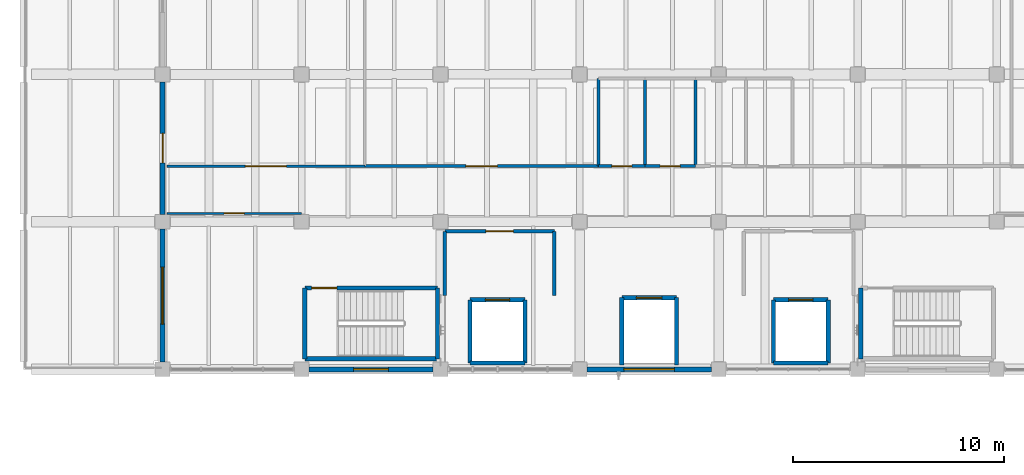
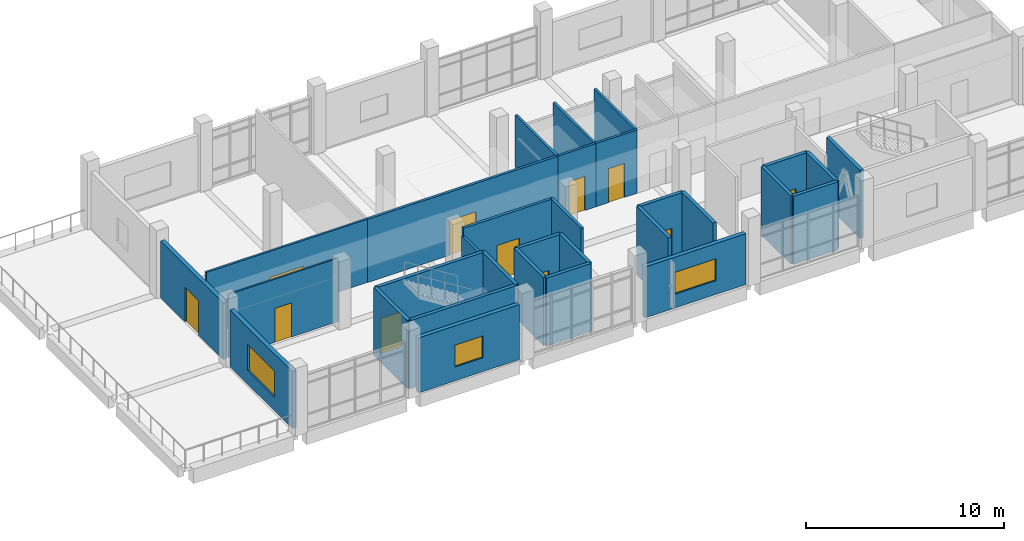
# One storey, part 14 of 20: 31 walls, 11 doors, 3 windows, 14 openings.
"""IFC4 building model written with IfcOpenShell, lengths in metres."""

from ifc_helpers import new_model, si_unit, direction, frame, frame_2d, origin, place, context, subcontext, project, spatial, rectangle, extrude, material, layer, layer_set, type_object, element, fill, save


model = new_model("IFC4")

# Units and contexts
model_context = context("Model", 3, precision=1e-05, world=origin(), true_north=direction((0.0, 1.0)))
body_context = subcontext(model_context, "Body", "Model", "MODEL_VIEW")
ifc_project = project(units=[si_unit("LENGTHUNIT", "METRE"), si_unit("AREAUNIT", "SQUARE_METRE"), si_unit("VOLUMEUNIT", "CUBIC_METRE"), si_unit("PLANEANGLEUNIT", "RADIAN"), si_unit("MASSUNIT", "GRAM", prefix="KILO")], contexts=[model_context])

# Site, building, storey
site_placement = place(None, origin())
site = spatial("IfcSite", under=ifc_project, at=site_placement, CompositionType="ELEMENT")
building_placement = place(site_placement, origin())
building = spatial("IfcBuilding", under=site, at=building_placement, Name="Ciguamira Faculty of Natural Sciences", CompositionType="ELEMENT")
storey_placement = place(building_placement, frame((0.0, 0.0, 21.0)))
storey = spatial("IfcBuildingStorey", under=building, at=storey_placement, Name="L05", CompositionType="ELEMENT", Elevation=21.0)

# Wall, opening, window
ifc_material_1 = material(Name="Precast concrete C40/50", Category="concrete")
ifc_layer_1 = layer(ifc_material_1, 0.239990234375, Name="Precast concrete C40/50")
ifc_layer_set_1 = layer_set([ifc_layer_1], Name="Precast concrete C40/50")
wall_type_1 = type_object("IfcWallType", Name="ExtWall_EW-02_240", PredefinedType="SOLIDWALL", material=ifc_layer_set_1)
wall_1_placement = place(storey_placement, frame((70.85009765625, 94.0, 0.0), z_axis=(0.0, 0.0, 1.0), x_axis=(1.0, 0.0, 0.0)))
wall_1 = element("IfcWall", 1, at=wall_1_placement, inside=storey, type_object=wall_type_1, Name="L05 exterior wall 0335", PredefinedType="SOLIDWALL", context=body_context, shape_type="SweptSolid", body=[
    extrude(rectangle(XDim=5.89990234375, YDim=0.239990234375, at=frame_2d((2.949951171875, 0.0))), origin(), (0.0, 0.0, 1.0), 3.385009765625),
])
opening_1_placement = place(wall_1_placement, frame((2.125, 0.0, 0.85009765625)))
opening_1 = element("IfcOpeningElement", 2, at=opening_1_placement, cuts=wall_1, Name="Opening WT-04", PredefinedType="OPENING", context=body_context, shape_type="SweptSolid", body=[
    extrude(rectangle(XDim=1.64990234375, YDim=1.35009765625, at=frame_2d((0.824951171875, 0.675048828125))), frame((0.0, 0.1298828125, 0.0), z_axis=(0.0, -1.0, 0.0), x_axis=(1.0, 0.0, 0.0)), (0.0, 0.0, 1.0), 0.260009765625),
])
ifc_material_2 = material(Name="Hurricane laminated solar glass", Category="glass")
window_type_1 = type_object("IfcWindowType", Name="Window_WT-04_1650x1350", PartitioningType="DOUBLE_PANEL_VERTICAL", PredefinedType="WINDOW", material=ifc_material_2)
window_1_placement = place(opening_1_placement, origin())
window_1 = element("IfcWindow", 3, at=window_1_placement, inside=storey, type_object=window_type_1, Name="L05 facade window 0225", OverallHeight=1.35009765625, OverallWidth=1.64990234375, PartitioningType="SINGLE_PANEL", PredefinedType="WINDOW", context=body_context, shape_type="SweptSolid", body=[
    extrude(rectangle(XDim=1.64990234375, YDim=1.35009765625, at=frame_2d((0.824951171875, 0.675048828125))), frame((0.0, 0.030029296875, 0.0), z_axis=(0.0, -1.0, 0.0), x_axis=(1.0, 0.0, 0.0)), (0.0, 0.0, 1.0), 0.06005859375),
])
fill(opening_1, window_1)

wall_2_placement = place(storey_placement, frame((84.050048828125, 94.0, 0.0), z_axis=(0.0, 0.0, 1.0), x_axis=(1.0, 0.0, 0.0)))
wall_2 = element("IfcWall", 4, at=wall_2_placement, inside=storey, type_object=wall_type_1, Name="L05 exterior wall 0336", PredefinedType="SOLIDWALL", context=body_context, shape_type="SweptSolid", body=[
    extrude(rectangle(XDim=5.89990234375, YDim=0.239990234375, at=frame_2d((2.949951171875, 0.0))), origin(), (0.0, 0.0, 1.0), 3.135009765625),
])
opening_2_placement = place(wall_2_placement, frame((1.75, 0.0, 0.85009765625)))
opening_2 = element("IfcOpeningElement", 5, at=opening_2_placement, cuts=wall_2, Name="Opening WT-07", PredefinedType="OPENING", context=body_context, shape_type="SweptSolid", body=[
    extrude(rectangle(XDim=2.39990234375, YDim=1.35009765625, at=frame_2d((1.199951171875, 0.675048828125))), frame((0.0, 0.1298828125, 0.0), z_axis=(0.0, -1.0, 0.0), x_axis=(1.0, 0.0, 0.0)), (0.0, 0.0, 1.0), 0.260009765625),
])
window_type_2 = type_object("IfcWindowType", Name="Window_WT-07_2400x1350", PartitioningType="DOUBLE_PANEL_VERTICAL", PredefinedType="WINDOW", material=ifc_material_2)
window_2_placement = place(opening_2_placement, origin())
window_2 = element("IfcWindow", 6, at=window_2_placement, inside=storey, type_object=window_type_2, Name="L05 facade window 0226", OverallHeight=1.35009765625, OverallWidth=2.39990234375, PartitioningType="SINGLE_PANEL", PredefinedType="WINDOW", context=body_context, shape_type="SweptSolid", body=[
    extrude(rectangle(XDim=2.39990234375, YDim=1.35009765625, at=frame_2d((1.199951171875, 0.675048828125))), frame((0.0, 0.030029296875, 0.0), z_axis=(0.0, -1.0, 0.0), x_axis=(1.0, 0.0, 0.0)), (0.0, 0.0, 1.0), 0.06005859375),
])
fill(opening_2, window_2)

wall_3_placement = place(storey_placement, frame((63.89990234375, 94.35009765625, 0.0), z_axis=(0.0, 0.0, 1.0), x_axis=(0.0, 1.0, 0.0)))
wall_3 = element("IfcWall", 7, at=wall_3_placement, inside=storey, type_object=wall_type_1, Name="L05 exterior wall 0342", PredefinedType="SOLIDWALL", context=body_context, shape_type="SweptSolid", body=[
    extrude(rectangle(XDim=6.2998046875, YDim=0.239990234375, at=frame_2d((3.14990234375, 0.0))), origin(), (0.0, 0.0, 1.0), 3.5048828125),
])
opening_3_placement = place(wall_3_placement, frame((1.800048828125, 0.0, 0.85009765625)))
opening_3 = element("IfcOpeningElement", 8, at=opening_3_placement, cuts=wall_3, Name="Opening WT-24", PredefinedType="OPENING", context=body_context, shape_type="SweptSolid", body=[
    extrude(rectangle(XDim=2.699951171875, YDim=1.60009765625, at=frame_2d((1.35009765625, 0.800048828125))), frame((0.0, 0.1298828125, 0.0), z_axis=(0.0, -1.0, 0.0), x_axis=(1.0, 0.0, 0.0)), (0.0, 0.0, 1.0), 0.260009765625),
])
window_type_3 = type_object("IfcWindowType", Name="Window_WT-24_2700x1600", PartitioningType="DOUBLE_PANEL_VERTICAL", PredefinedType="WINDOW", material=ifc_material_2)
window_3_placement = place(opening_3_placement, origin())
window_3 = element("IfcWindow", 9, at=window_3_placement, inside=storey, type_object=window_type_3, Name="L05 facade window 0232", OverallHeight=1.60009765625, OverallWidth=2.699951171875, PartitioningType="SINGLE_PANEL", PredefinedType="WINDOW", context=body_context, shape_type="SweptSolid", body=[
    extrude(rectangle(XDim=2.699951171875, YDim=1.60009765625, at=frame_2d((1.35009765625, 0.800048828125))), frame((0.0, 0.030029296875, 0.0), z_axis=(0.0, -1.0, 0.0), x_axis=(1.0, 0.0, 0.0)), (0.0, 0.0, 1.0), 0.06005859375),
])
fill(opening_3, window_3)

# Wall, opening, door
wall_4_placement = place(storey_placement, frame((63.89990234375, 101.35009765625, 0.0), z_axis=(0.0, 0.0, 1.0), x_axis=(0.0, 1.0, 0.0)))
wall_4 = element("IfcWall", 10, at=wall_4_placement, inside=storey, type_object=wall_type_1, Name="L05 exterior wall 0343", PredefinedType="SOLIDWALL", context=body_context, shape_type="SweptSolid", body=[
    extrude(rectangle(XDim=6.2998046875, YDim=0.239990234375, at=frame_2d((3.14990234375, 0.0))), origin(), (0.0, 0.0, 1.0), 3.5048828125),
])
opening_4_placement = place(wall_4_placement, frame((2.449951171875, 0.0, 0.0)))
opening_4 = element("IfcOpeningElement", 11, at=opening_4_placement, cuts=wall_4, Name="Opening ED-06", PredefinedType="OPENING", context=body_context, shape_type="SweptSolid", body=[
    extrude(rectangle(XDim=1.39990234375, YDim=2.14990234375, at=frame_2d((0.699951171875, 1.074951171875))), frame((0.0, 0.1298828125, 0.0), z_axis=(0.0, -1.0, 0.0), x_axis=(1.0, 0.0, 0.0)), (0.0, 0.0, 1.0), 0.260009765625),
])
ifc_material_3 = material(Name="Loggia terrace access door")
door_type_1 = type_object("IfcDoorType", Name="ExtDoor_ED-06_1400x2150", OperationType="NOTDEFINED", PredefinedType="DOOR", material=ifc_material_3)
door_1_placement = place(opening_4_placement, origin())
door_1 = element("IfcDoor", 12, at=door_1_placement, inside=storey, type_object=door_type_1, Name="Tower West Setback Terrace Door", OperationType="SINGLE_SWING_LEFT", OverallHeight=2.14990234375, OverallWidth=1.39990234375, PredefinedType="DOOR", context=body_context, shape_type="SweptSolid", body=[
    extrude(rectangle(XDim=1.39990234375, YDim=2.14990234375, at=frame_2d((0.699951171875, 1.074951171875))), frame((0.0, 0.02490234375, 0.0), z_axis=(0.0, -1.0, 0.0), x_axis=(1.0, 0.0, 0.0)), (0.0, 0.0, 1.0), 0.050048828125),
])
fill(opening_4, door_1)

# Wall
ifc_material_4 = material(Name="Concrete C40/50", Category="concrete")
ifc_layer_2 = layer(ifc_material_4, 0.199951171875, Name="Concrete C40/50")
ifc_layer_set_2 = layer_set([ifc_layer_2], Name="Concrete C40/50")
wall_type_2 = type_object("IfcWallType", Name="IntWall_CW-S20_200", PredefinedType="SHEAR", material=ifc_layer_set_2)
wall_5_placement = place(storey_placement, frame((70.64990234375, 94.5, 0.0), z_axis=(0.0, 0.0, 1.0), x_axis=(1.0, 0.0, 0.0)))
element("IfcWall", 13, at=wall_5_placement, inside=storey, type_object=wall_type_2, Name="L05 ST-T1 core shear wall south", PredefinedType="SHEAR", context=body_context, shape_type="SweptSolid", body=[
    extrude(rectangle(XDim=6.300048828125, YDim=0.199951171875, at=frame_2d((3.14990234375, 0.0))), origin(), (0.0, 0.0, 1.0), 4.199951171875),
])

# Wall, opening, door
wall_6_placement = place(storey_placement, frame((70.64990234375, 97.860107421875, 0.0), z_axis=(0.0, 0.0, 1.0), x_axis=(1.0, 0.0, 0.0)))
wall_6 = element("IfcWall", 14, at=wall_6_placement, inside=storey, type_object=wall_type_2, Name="L05 ST-T1 core shear wall north", PredefinedType="SHEAR", context=body_context, shape_type="SweptSolid", body=[
    extrude(rectangle(XDim=6.300048828125, YDim=0.199951171875, at=frame_2d((3.14990234375, 0.0))), origin(), (0.0, 0.0, 1.0), 4.199951171875),
])
opening_5_placement = place(wall_6_placement, frame((0.320068359375, 0.0, 0.0)))
opening_5 = element("IfcOpeningElement", 15, at=opening_5_placement, cuts=wall_6, Name="Opening ID-14", PredefinedType="OPENING", context=body_context, shape_type="SweptSolid", body=[
    extrude(rectangle(XDim=1.199951171875, YDim=2.14990234375, at=frame_2d((0.60009765625, 1.074951171875))), frame((0.0, 0.10986328125, 0.0), z_axis=(0.0, -1.0, 0.0), x_axis=(1.0, 0.0, 0.0)), (0.0, 0.0, 1.0), 0.219970703125),
])
ifc_material_5 = material(Name="Protected exit stair fire door")
door_type_2 = type_object("IfcDoorType", Name="IntDoor_ID-14_1200x2150", OperationType="NOTDEFINED", PredefinedType="DOOR", material=ifc_material_5)
door_2_placement = place(opening_5_placement, frame((1.199951171875, 0.0, 0.0), z_axis=(0.0, 0.0, 1.0), x_axis=(-1.0, 0.0, 0.0)))
door_2 = element("IfcDoor", 16, at=door_2_placement, inside=storey, type_object=door_type_2, Name="L05 ST-T1 exit stair fire door", OperationType="SINGLE_SWING_LEFT", OverallHeight=2.14990234375, OverallWidth=1.199951171875, PredefinedType="DOOR", context=body_context, shape_type="SweptSolid", body=[
    extrude(rectangle(XDim=1.199951171875, YDim=2.14990234375, at=frame_2d((0.60009765625, 1.074951171875))), frame((0.0, 0.02490234375, 0.0), z_axis=(0.0, -1.0, 0.0), x_axis=(1.0, 0.0, 0.0)), (0.0, 0.0, 1.0), 0.050048828125),
])
fill(opening_5, door_2)

# Walls
for number, where, z_axis, x_axis, name in (
    (17, (70.64990234375, 94.5, 0.0), (0.0, 0.0, 1.0), (0.0, 1.0, 0.0), "L05 ST-T1 core shear wall west"),
    (18, (76.949951171875, 94.5, 0.0), (0.0, 0.0, 1.0), (0.0, 1.0, 0.0), "L05 ST-T1 core shear wall east"),
    (19, (97.050048828125, 94.5, 0.0), (0.0, 0.0, 1.0), (0.0, 1.0, 0.0), "L05 ST-T2 core shear wall west"),
):
    element("IfcWall", number, at=place(storey_placement, frame(where, z_axis=z_axis, x_axis=x_axis)), inside=storey, type_object=wall_type_2, Name=name, PredefinedType="SHEAR", context=body_context, shape_type="SweptSolid", body=[
        extrude(rectangle(XDim=3.360107421875, YDim=0.199951171875, at=frame_2d((1.68017578125, 0.0))), origin(), (0.0, 0.0, 1.0), 4.199951171875),
    ])
wall_7_placement = place(storey_placement, frame((78.5, 94.300048828125, 0.0), z_axis=(0.0, 0.0, 1.0), x_axis=(1.0, 0.0, 0.0)))
element("IfcWall", 20, at=wall_7_placement, inside=storey, type_object=wall_type_2, Name="L05 EL-FF1 hoistway wall south", PredefinedType="SHEAR", context=body_context, shape_type="SweptSolid", body=[
    extrude(rectangle(XDim=2.60009765625, YDim=0.199951171875, at=frame_2d((1.300048828125, 0.0))), origin(), (0.0, 0.0, 1.0), 4.199951171875),
])

# Wall, opening, door
wall_8_placement = place(storey_placement, frame((78.5, 97.300048828125, 0.0), z_axis=(0.0, 0.0, 1.0), x_axis=(1.0, 0.0, 0.0)))
wall_8 = element("IfcWall", 21, at=wall_8_placement, inside=storey, type_object=wall_type_2, Name="L05 EL-FF1 hoistway wall north", PredefinedType="SHEAR", context=body_context, shape_type="SweptSolid", body=[
    extrude(rectangle(XDim=2.60009765625, YDim=0.199951171875, at=frame_2d((1.300048828125, 0.0))), origin(), (0.0, 0.0, 1.0), 4.199951171875),
])
opening_6_placement = place(wall_8_placement, frame((0.72509765625, 0.0, 0.0)))
opening_6 = element("IfcOpeningElement", 22, at=opening_6_placement, cuts=wall_8, Name="Opening LD-03", PredefinedType="OPENING", context=body_context, shape_type="SweptSolid", body=[
    extrude(rectangle(XDim=1.14990234375, YDim=2.199951171875, at=frame_2d((0.574951171875, 1.10009765625))), frame((0.0, 0.10986328125, 0.0), z_axis=(0.0, -1.0, 0.0), x_axis=(1.0, 0.0, 0.0)), (0.0, 0.0, 1.0), 0.219970703125),
])
ifc_material_6 = material(Name="Firefighting lift sliding landing door")
door_type_3 = type_object("IfcDoorType", Name="LiftLandingDoor_LD-03_1150x2200", OperationType="SLIDING_TO_LEFT", PredefinedType="DOOR", material=ifc_material_6)
door_3_placement = place(opening_6_placement, origin())
door_3 = element("IfcDoor", 23, at=door_3_placement, inside=storey, type_object=door_type_3, Name="L05 EL-FF1 elevator landing sliding door", OperationType="SLIDING_TO_LEFT", OverallHeight=2.199951171875, OverallWidth=1.14990234375, PredefinedType="DOOR", context=body_context, shape_type="SweptSolid", body=[
    extrude(rectangle(XDim=1.14990234375, YDim=2.199951171875, at=frame_2d((0.574951171875, 1.10009765625))), frame((0.0, 0.02490234375, 0.0), z_axis=(0.0, -1.0, 0.0), x_axis=(1.0, 0.0, 0.0)), (0.0, 0.0, 1.0), 0.050048828125),
])
fill(opening_6, door_3)

# Walls
for number, where, z_axis, x_axis, name in (
    (24, (78.5, 94.300048828125, 0.0), (0.0, 0.0, 1.0), (0.0, 1.0, 0.0), "L05 EL-FF1 hoistway wall west"),
    (25, (81.10009765625, 94.300048828125, 0.0), (0.0, 0.0, 1.0), (0.0, 1.0, 0.0), "L05 EL-FF1 hoistway wall east"),
):
    element("IfcWall", number, at=place(storey_placement, frame(where, z_axis=z_axis, x_axis=x_axis)), inside=storey, type_object=wall_type_2, Name=name, PredefinedType="SHEAR", context=body_context, shape_type="SweptSolid", body=[
        extrude(rectangle(XDim=3.0, YDim=0.199951171875, at=frame_2d((1.5, 0.0))), origin(), (0.0, 0.0, 1.0), 4.199951171875),
    ])
wall_9_placement = place(storey_placement, frame((92.89990234375, 94.300048828125, 0.0), z_axis=(0.0, 0.0, 1.0), x_axis=(1.0, 0.0, 0.0)))
element("IfcWall", 26, at=wall_9_placement, inside=storey, type_object=wall_type_2, Name="L05 EL-FF2 hoistway wall south", PredefinedType="SHEAR", context=body_context, shape_type="SweptSolid", body=[
    extrude(rectangle(XDim=2.60009765625, YDim=0.199951171875, at=frame_2d((1.300048828125, 0.0))), origin(), (0.0, 0.0, 1.0), 4.199951171875),
])

# Wall, opening, door
wall_10_placement = place(storey_placement, frame((92.89990234375, 97.300048828125, 0.0), z_axis=(0.0, 0.0, 1.0), x_axis=(1.0, 0.0, 0.0)))
wall_10 = element("IfcWall", 27, at=wall_10_placement, inside=storey, type_object=wall_type_2, Name="L05 EL-FF2 hoistway wall north", PredefinedType="SHEAR", context=body_context, shape_type="SweptSolid", body=[
    extrude(rectangle(XDim=2.60009765625, YDim=0.199951171875, at=frame_2d((1.300048828125, 0.0))), origin(), (0.0, 0.0, 1.0), 4.199951171875),
])
opening_7_placement = place(wall_10_placement, frame((0.72509765625, 0.0, 0.0)))
opening_7 = element("IfcOpeningElement", 28, at=opening_7_placement, cuts=wall_10, Name="Opening LD-03", PredefinedType="OPENING", context=body_context, shape_type="SweptSolid", body=[
    extrude(rectangle(XDim=1.14990234375, YDim=2.199951171875, at=frame_2d((0.574951171875, 1.10009765625))), frame((0.0, 0.10986328125, 0.0), z_axis=(0.0, -1.0, 0.0), x_axis=(1.0, 0.0, 0.0)), (0.0, 0.0, 1.0), 0.219970703125),
])
door_4_placement = place(opening_7_placement, origin())
door_4 = element("IfcDoor", 29, at=door_4_placement, inside=storey, type_object=door_type_3, Name="L05 EL-FF2 elevator landing sliding door", OperationType="SLIDING_TO_LEFT", OverallHeight=2.199951171875, OverallWidth=1.14990234375, PredefinedType="DOOR", context=body_context, shape_type="SweptSolid", body=[
    extrude(rectangle(XDim=1.14990234375, YDim=2.199951171875, at=frame_2d((0.574951171875, 1.10009765625))), frame((0.0, 0.02490234375, 0.0), z_axis=(0.0, -1.0, 0.0), x_axis=(1.0, 0.0, 0.0)), (0.0, 0.0, 1.0), 0.050048828125),
])
fill(opening_7, door_4)

# Walls
for number, where, z_axis, x_axis, name in (
    (30, (92.89990234375, 94.300048828125, 0.0), (0.0, 0.0, 1.0), (0.0, 1.0, 0.0), "L05 EL-FF2 hoistway wall west"),
    (31, (95.5, 94.300048828125, 0.0), (0.0, 0.0, 1.0), (0.0, 1.0, 0.0), "L05 EL-FF2 hoistway wall east"),
):
    element("IfcWall", number, at=place(storey_placement, frame(where, z_axis=z_axis, x_axis=x_axis)), inside=storey, type_object=wall_type_2, Name=name, PredefinedType="SHEAR", context=body_context, shape_type="SweptSolid", body=[
        extrude(rectangle(XDim=3.0, YDim=0.199951171875, at=frame_2d((1.5, 0.0))), origin(), (0.0, 0.0, 1.0), 4.199951171875),
    ])

# Wall, opening, door
wall_11_placement = place(storey_placement, frame((85.699951171875, 97.39990234375, 0.0), z_axis=(0.0, 0.0, 1.0), x_axis=(1.0, 0.0, 0.0)))
wall_11 = element("IfcWall", 32, at=wall_11_placement, inside=storey, type_object=wall_type_2, Name="L05 EL-P1 hoistway wall north", PredefinedType="SHEAR", context=body_context, shape_type="SweptSolid", body=[
    extrude(rectangle(XDim=2.60009765625, YDim=0.199951171875, at=frame_2d((1.300048828125, 0.0))), origin(), (0.0, 0.0, 1.0), 4.199951171875),
])
opening_8_placement = place(wall_11_placement, frame((0.699951171875, 0.0, 0.0)))
opening_8 = element("IfcOpeningElement", 33, at=opening_8_placement, cuts=wall_11, Name="Opening LD-02", PredefinedType="OPENING", context=body_context, shape_type="SweptSolid", body=[
    extrude(rectangle(XDim=1.199951171875, YDim=2.199951171875, at=frame_2d((0.60009765625, 1.10009765625))), frame((0.0, 0.10986328125, 0.0), z_axis=(0.0, -1.0, 0.0), x_axis=(1.0, 0.0, 0.0)), (0.0, 0.0, 1.0), 0.219970703125),
])
ifc_material_7 = material(Name="Stretcher elevator sliding landing door")
door_type_4 = type_object("IfcDoorType", Name="LiftLandingDoor_LD-02_1200x2200", OperationType="SLIDING_TO_LEFT", PredefinedType="DOOR", material=ifc_material_7)
door_5_placement = place(opening_8_placement, origin())
door_5 = element("IfcDoor", 34, at=door_5_placement, inside=storey, type_object=door_type_4, Name="L05 EL-P1 elevator landing sliding door", OperationType="SLIDING_TO_LEFT", OverallHeight=2.199951171875, OverallWidth=1.199951171875, PredefinedType="DOOR", context=body_context, shape_type="SweptSolid", body=[
    extrude(rectangle(XDim=1.199951171875, YDim=2.199951171875, at=frame_2d((0.60009765625, 1.10009765625))), frame((0.0, 0.02490234375, 0.0), z_axis=(0.0, -1.0, 0.0), x_axis=(1.0, 0.0, 0.0)), (0.0, 0.0, 1.0), 0.050048828125),
])
fill(opening_8, door_5)

# Walls
for number, where, z_axis, x_axis, name in (
    (35, (85.699951171875, 94.199951171875, 0.0), (0.0, 0.0, 1.0), (0.0, 1.0, 0.0), "L05 EL-P1 hoistway wall west"),
    (36, (88.300048828125, 94.199951171875, 0.0), (0.0, 0.0, 1.0), (0.0, 1.0, 0.0), "L05 EL-P1 hoistway wall east"),
):
    element("IfcWall", number, at=place(storey_placement, frame(where, z_axis=z_axis, x_axis=x_axis)), inside=storey, type_object=wall_type_2, Name=name, PredefinedType="SHEAR", context=body_context, shape_type="SweptSolid", body=[
        extrude(rectangle(XDim=3.199951171875, YDim=0.199951171875, at=frame_2d((1.60009765625, 0.0))), origin(), (0.0, 0.0, 1.0), 4.199951171875),
    ])

# Wall, opening, door
ifc_material_8 = material(Name="Fire-rated gypsum partition")
ifc_layer_3 = layer(ifc_material_8, 0.10009765625, Name="Fire-rated gypsum partition")
ifc_layer_set_3 = layer_set([ifc_layer_3], Name="Fire-rated gypsum partition")
wall_type_3 = type_object("IfcWallType", Name="IntWall_IW-A10_100", PredefinedType="PARTITIONING", material=ifc_layer_set_3)
wall_12_placement = place(storey_placement, frame((64.10009765625, 101.39990234375, 0.0), z_axis=(0.0, 0.0, 1.0), x_axis=(1.0, 0.0, 0.0)))
wall_12 = element("IfcWall", 37, at=wall_12_placement, inside=storey, type_object=wall_type_3, Name="L05 West Setback Study Office partition north", PredefinedType="PARTITIONING", context=body_context, shape_type="SweptSolid", body=[
    extrude(rectangle(XDim=6.39990234375, YDim=0.10009765625, at=frame_2d((3.199951171875, 0.0))), origin(), (0.0, 0.0, 1.0), 3.89990234375),
])
opening_9_placement = place(wall_12_placement, frame((2.72509765625, 0.0, 0.0)))
opening_9 = element("IfcOpeningElement", 38, at=opening_9_placement, cuts=wall_12, Name="Opening ID-02", PredefinedType="OPENING", context=body_context, shape_type="SweptSolid", body=[
    extrude(rectangle(XDim=0.949951171875, YDim=2.10009765625, at=frame_2d((0.47509765625, 1.050048828125))), frame((0.0, 0.06005859375, 0.0), z_axis=(0.0, -1.0, 0.0), x_axis=(1.0, 0.0, 0.0)), (0.0, 0.0, 1.0), 0.1201171875),
])
ifc_material_9 = material(Name="Accessible WC outward-clear door")
door_type_5 = type_object("IfcDoorType", Name="IntDoor_ID-02_950x2100", OperationType="NOTDEFINED", PredefinedType="DOOR", material=ifc_material_9)
door_6_placement = place(opening_9_placement, frame((0.949951171875, 0.0, 0.0), z_axis=(0.0, 0.0, 1.0), x_axis=(-1.0, 0.0, 0.0)))
door_6 = element("IfcDoor", 39, at=door_6_placement, inside=storey, type_object=door_type_5, Name="L05 West Setback Study Office door", OperationType="SINGLE_SWING_LEFT", OverallHeight=2.10009765625, OverallWidth=0.949951171875, PredefinedType="DOOR", context=body_context, shape_type="SweptSolid", body=[
    extrude(rectangle(XDim=0.949951171875, YDim=2.10009765625, at=frame_2d((0.47509765625, 1.050048828125))), frame((0.0, 0.02490234375, 0.0), z_axis=(0.0, -1.0, 0.0), x_axis=(1.0, 0.0, 0.0)), (0.0, 0.0, 1.0), 0.050048828125),
])
fill(opening_9, door_6)

ifc_material_10 = material(Name="Acoustic double-stud gypsum partition")
ifc_layer_4 = layer(ifc_material_10, 0.1201171875, Name="Acoustic double-stud gypsum partition")
ifc_layer_set_4 = layer_set([ifc_layer_4], Name="Acoustic double-stud gypsum partition")
wall_type_4 = type_object("IfcWallType", Name="IntWall_IW-A12_120", PredefinedType="PARTITIONING", material=ifc_layer_set_4)
wall_13_placement = place(storey_placement, frame((64.10009765625, 103.64990234375, 0.0), z_axis=(0.0, 0.0, 1.0), x_axis=(1.0, 0.0, 0.0)))
wall_13 = element("IfcWall", 40, at=wall_13_placement, inside=storey, type_object=wall_type_4, Name="L05 West Terrace Faculty Seminar Lounge partition south", PredefinedType="PARTITIONING", context=body_context, shape_type="SweptSolid", body=[
    extrude(rectangle(XDim=9.39990234375, YDim=0.1201171875, at=frame_2d((4.699951171875, 0.0))), origin(), (0.0, 0.0, 1.0), 3.89990234375),
])
opening_10_placement = place(wall_13_placement, frame((3.72509765625, 0.0, 0.0)))
opening_10 = element("IfcOpeningElement", 41, at=opening_10_placement, cuts=wall_13, Name="Opening ID-13", PredefinedType="OPENING", context=body_context, shape_type="SweptSolid", body=[
    extrude(rectangle(XDim=1.949951171875, YDim=2.300048828125, at=frame_2d((0.97509765625, 1.14990234375))), frame((0.0, 0.070068359375, 0.0), z_axis=(0.0, -1.0, 0.0), x_axis=(1.0, 0.0, 0.0)), (0.0, 0.0, 1.0), 0.14013671875),
])
ifc_material_11 = material(Name="Atrium concourse double fire door")
door_type_6 = type_object("IfcDoorType", Name="IntDoor_ID-13_1950x2300", OperationType="NOTDEFINED", PredefinedType="DOOR", material=ifc_material_11)
door_7_placement = place(opening_10_placement, origin())
door_7 = element("IfcDoor", 42, at=door_7_placement, inside=storey, type_object=door_type_6, Name="L05 West Terrace Faculty Seminar Lounge door", OperationType="SINGLE_SWING_LEFT", OverallHeight=2.300048828125, OverallWidth=1.949951171875, PredefinedType="DOOR", context=body_context, shape_type="SweptSolid", body=[
    extrude(rectangle(XDim=1.949951171875, YDim=2.300048828125, at=frame_2d((0.97509765625, 1.14990234375))), frame((0.0, 0.02490234375, 0.0), z_axis=(0.0, -1.0, 0.0), x_axis=(1.0, 0.0, 0.0)), (0.0, 0.0, 1.0), 0.050048828125),
])
fill(opening_10, door_7)

ifc_material_12 = material(Name="Fire-rated blockwork wall", Category="masonry")
ifc_layer_5 = layer(ifc_material_12, 0.159912109375, Name="Fire-rated blockwork wall")
ifc_layer_set_5 = layer_set([ifc_layer_5], Name="Fire-rated blockwork wall")
wall_type_5 = type_object("IfcWallType", Name="IntWall_IW-F16_160", PredefinedType="SOLIDWALL", material=ifc_layer_set_5)
wall_14_placement = place(storey_placement, frame((77.300048828125, 100.550048828125, 0.0), z_axis=(0.0, 0.0, 1.0), x_axis=(1.0, 0.0, 0.0)))
wall_14 = element("IfcWall", 43, at=wall_14_placement, inside=storey, type_object=wall_type_5, Name="L05 Firefighting Lift Lobby 1 partition north", PredefinedType="SOLIDWALL", context=body_context, shape_type="SweptSolid", body=[
    extrude(rectangle(XDim=5.199951171875, YDim=0.159912109375, at=frame_2d((2.60009765625, 0.0))), origin(), (0.0, 0.0, 1.0), 3.89990234375),
])
opening_11_placement = place(wall_14_placement, frame((1.949951171875, 0.0, 0.0)))
opening_11 = element("IfcOpeningElement", 44, at=opening_11_placement, cuts=wall_14, Name="Opening ID-15", PredefinedType="OPENING", context=body_context, shape_type="SweptSolid", body=[
    extrude(rectangle(XDim=1.300048828125, YDim=2.14990234375, at=frame_2d((0.64990234375, 1.074951171875))), frame((0.0, 0.08984375, 0.0), z_axis=(0.0, -1.0, 0.0), x_axis=(1.0, 0.0, 0.0)), (0.0, 0.0, 1.0), 0.179931640625),
])
ifc_material_13 = material(Name="Firefighting lift lobby fire door")
door_type_7 = type_object("IfcDoorType", Name="IntDoor_ID-15_1300x2150", OperationType="NOTDEFINED", PredefinedType="DOOR", material=ifc_material_13)
door_8_placement = place(opening_11_placement, frame((1.300048828125, 0.0, 0.0), z_axis=(0.0, 0.0, 1.0), x_axis=(-1.0, 0.0, 0.0)))
door_8 = element("IfcDoor", 45, at=door_8_placement, inside=storey, type_object=door_type_7, Name="L05 Firefighting Lift Lobby 1 door", OperationType="SINGLE_SWING_LEFT", OverallHeight=2.14990234375, OverallWidth=1.300048828125, PredefinedType="DOOR", context=body_context, shape_type="SweptSolid", body=[
    extrude(rectangle(XDim=1.300048828125, YDim=2.14990234375, at=frame_2d((0.64990234375, 1.074951171875))), frame((0.0, 0.02490234375, 0.0), z_axis=(0.0, -1.0, 0.0), x_axis=(1.0, 0.0, 0.0)), (0.0, 0.0, 1.0), 0.050048828125),
])
fill(opening_11, door_8)

# Walls
wall_15_placement = place(storey_placement, frame((77.300048828125, 97.5, 0.0), z_axis=(0.0, 0.0, 1.0), x_axis=(0.0, 1.0, 0.0)))
element("IfcWall", 46, at=wall_15_placement, inside=storey, type_object=wall_type_5, Name="L05 Firefighting Lift Lobby 1 partition west", PredefinedType="SOLIDWALL", context=body_context, shape_type="SweptSolid", body=[
    extrude(rectangle(XDim=3.050048828125, YDim=0.159912109375, at=frame_2d((1.52490234375, 0.0))), origin(), (0.0, 0.0, 1.0), 3.405029296875),
])
wall_16_placement = place(storey_placement, frame((82.5, 97.5, 0.0), z_axis=(0.0, 0.0, 1.0), x_axis=(0.0, 1.0, 0.0)))
element("IfcWall", 47, at=wall_16_placement, inside=storey, type_object=wall_type_5, Name="L05 Firefighting Lift Lobby 1 partition east", PredefinedType="SOLIDWALL", context=body_context, shape_type="SweptSolid", body=[
    extrude(rectangle(XDim=3.050048828125, YDim=0.159912109375, at=frame_2d((1.52490234375, 0.0))), origin(), (0.0, 0.0, 1.0), 3.89990234375),
])

# Wall, opening, door
ifc_material_14 = material(Name="Acoustic laboratory corridor partition")
ifc_layer_6 = layer(ifc_material_14, 0.14990234375, Name="Acoustic laboratory corridor partition")
ifc_layer_set_6 = layer_set([ifc_layer_6], Name="Acoustic laboratory corridor partition")
wall_type_6 = type_object("IfcWallType", Name="IntWall_IW-G15_150", PredefinedType="PARTITIONING", material=ifc_layer_set_6)
wall_17_placement = place(storey_placement, frame((73.5, 103.64990234375, 0.0), z_axis=(0.0, 0.0, 1.0), x_axis=(1.0, 0.0, 0.0)))
wall_17 = element("IfcWall", 48, at=wall_17_placement, inside=storey, type_object=wall_type_6, Name="L05 Analytical Chromatography Laboratory partition south", PredefinedType="PARTITIONING", context=body_context, shape_type="SweptSolid", body=[
    extrude(rectangle(XDim=11.10009765625, YDim=0.14990234375, at=frame_2d((5.550048828125, 0.0))), origin(), (0.0, 0.0, 1.0), 3.89990234375),
])
opening_12_placement = place(wall_17_placement, frame((4.800048828125, 0.0, 0.0)))
opening_12 = element("IfcOpeningElement", 49, at=opening_12_placement, cuts=wall_17, Name="Opening ID-17", PredefinedType="OPENING", context=body_context, shape_type="SweptSolid", body=[
    extrude(rectangle(XDim=1.5, YDim=2.14990234375, at=frame_2d((0.75, 1.074951171875))), frame((0.0, 0.0849609375, 0.0), z_axis=(0.0, -1.0, 0.0), x_axis=(1.0, 0.0, 0.0)), (0.0, 0.0, 1.0), 0.169921875),
])
ifc_material_15 = material(Name="Plant room double steel door", Category="steel")
door_type_8 = type_object("IfcDoorType", Name="IntDoor_ID-17_1500x2150", OperationType="NOTDEFINED", PredefinedType="DOOR", material=ifc_material_15)
door_9_placement = place(opening_12_placement, origin())
door_9 = element("IfcDoor", 50, at=door_9_placement, inside=storey, type_object=door_type_8, Name="L05 Analytical Chromatography Laboratory door", OperationType="SINGLE_SWING_RIGHT", OverallHeight=2.14990234375, OverallWidth=1.5, PredefinedType="DOOR", context=body_context, shape_type="SweptSolid", body=[
    extrude(rectangle(XDim=1.5, YDim=2.14990234375, at=frame_2d((0.75, 1.074951171875))), frame((0.0, 0.02490234375, 0.0), z_axis=(0.0, -1.0, 0.0), x_axis=(1.0, 0.0, 0.0)), (0.0, 0.0, 1.0), 0.050048828125),
])
fill(opening_12, door_9)

ifc_material_16 = material(Name="Moisture-resistant service chase wall")
ifc_layer_7 = layer(ifc_material_16, 0.139892578125, Name="Moisture-resistant service chase wall")
ifc_layer_set_7 = layer_set([ifc_layer_7], Name="Moisture-resistant service chase wall")
wall_type_7 = type_object("IfcWallType", Name="IntWall_IW-P14_140", PredefinedType="PLUMBINGWALL", material=ifc_layer_set_7)
wall_18_placement = place(storey_placement, frame((84.60009765625, 103.64990234375, 0.0), z_axis=(0.0, 0.0, 1.0), x_axis=(1.0, 0.0, 0.0)))
wall_18 = element("IfcWall", 51, at=wall_18_placement, inside=storey, type_object=wall_type_7, Name="L05 Accessible WC partition south", PredefinedType="PLUMBINGWALL", context=body_context, shape_type="SweptSolid", body=[
    extrude(rectangle(XDim=2.199951171875, YDim=0.139892578125, at=frame_2d((1.10009765625, 0.0))), origin(), (0.0, 0.0, 1.0), 3.89990234375),
])
opening_13_placement = place(wall_18_placement, frame((0.625, 0.0, 0.0)))
opening_13 = element("IfcOpeningElement", 52, at=opening_13_placement, cuts=wall_18, Name="Opening ID-02", PredefinedType="OPENING", context=body_context, shape_type="SweptSolid", body=[
    extrude(rectangle(XDim=0.949951171875, YDim=2.10009765625, at=frame_2d((0.47509765625, 1.050048828125))), frame((0.0, 0.079833984375, 0.0), z_axis=(0.0, -1.0, 0.0), x_axis=(1.0, 0.0, 0.0)), (0.0, 0.0, 1.0), 0.159912109375),
])
door_10_placement = place(opening_13_placement, origin())
door_10 = element("IfcDoor", 53, at=door_10_placement, inside=storey, type_object=door_type_5, Name="L05 Accessible WC door", OperationType="SINGLE_SWING_LEFT", OverallHeight=2.10009765625, OverallWidth=0.949951171875, PredefinedType="DOOR", context=body_context, shape_type="SweptSolid", body=[
    extrude(rectangle(XDim=0.949951171875, YDim=2.10009765625, at=frame_2d((0.47509765625, 1.050048828125))), frame((0.0, 0.02490234375, 0.0), z_axis=(0.0, -1.0, 0.0), x_axis=(1.0, 0.0, 0.0)), (0.0, 0.0, 1.0), 0.050048828125),
])
fill(opening_13, door_10)

# Walls
for number, where, z_axis, x_axis, name in (
    (54, (84.60009765625, 103.64990234375, 0.0), (0.0, 0.0, 1.0), (0.0, 1.0, 0.0), "L05 Accessible WC partition west"),
    (55, (86.800048828125, 103.64990234375, 0.0), (0.0, 0.0, 1.0), (0.0, 1.0, 0.0), "L05 Accessible WC partition east"),
):
    element("IfcWall", number, at=place(storey_placement, frame(where, z_axis=z_axis, x_axis=x_axis)), inside=storey, type_object=wall_type_7, Name=name, PredefinedType="PLUMBINGWALL", context=body_context, shape_type="SweptSolid", body=[
        extrude(rectangle(XDim=4.150146484375, YDim=0.139892578125, at=frame_2d((2.0751953125, 0.0))), origin(), (0.0, 0.0, 1.0), 3.89990234375),
    ])

# Wall, opening, door
wall_19_placement = place(storey_placement, frame((86.800048828125, 103.64990234375, 0.0), z_axis=(0.0, 0.0, 1.0), x_axis=(1.0, 0.0, 0.0)))
wall_19 = element("IfcWall", 56, at=wall_19_placement, inside=storey, type_object=wall_type_7, Name="L05 Public Restroom Female partition south", PredefinedType="PLUMBINGWALL", context=body_context, shape_type="SweptSolid", body=[
    extrude(rectangle(XDim=2.39990234375, YDim=0.139892578125, at=frame_2d((1.199951171875, 0.0))), origin(), (0.0, 0.0, 1.0), 3.89990234375),
])
opening_14_placement = place(wall_19_placement, frame((0.72509765625, 0.0, 0.0)))
opening_14 = element("IfcOpeningElement", 57, at=opening_14_placement, cuts=wall_19, Name="Opening ID-02", PredefinedType="OPENING", context=body_context, shape_type="SweptSolid", body=[
    extrude(rectangle(XDim=0.949951171875, YDim=2.10009765625, at=frame_2d((0.47509765625, 1.050048828125))), frame((0.0, 0.079833984375, 0.0), z_axis=(0.0, -1.0, 0.0), x_axis=(1.0, 0.0, 0.0)), (0.0, 0.0, 1.0), 0.159912109375),
])
door_11_placement = place(opening_14_placement, origin())
door_11 = element("IfcDoor", 58, at=door_11_placement, inside=storey, type_object=door_type_5, Name="L05 Public Restroom Female door", OperationType="SINGLE_SWING_RIGHT", OverallHeight=2.10009765625, OverallWidth=0.949951171875, PredefinedType="DOOR", context=body_context, shape_type="SweptSolid", body=[
    extrude(rectangle(XDim=0.949951171875, YDim=2.10009765625, at=frame_2d((0.47509765625, 1.050048828125))), frame((0.0, 0.02490234375, 0.0), z_axis=(0.0, -1.0, 0.0), x_axis=(1.0, 0.0, 0.0)), (0.0, 0.0, 1.0), 0.050048828125),
])
fill(opening_14, door_11)

# Wall
wall_20_placement = place(storey_placement, frame((89.199951171875, 103.64990234375, 0.0), z_axis=(0.0, 0.0, 1.0), x_axis=(0.0, 1.0, 0.0)))
element("IfcWall", 59, at=wall_20_placement, inside=storey, type_object=wall_type_7, Name="L05 Public Restroom Female partition east", PredefinedType="PLUMBINGWALL", context=body_context, shape_type="SweptSolid", body=[
    extrude(rectangle(XDim=4.150146484375, YDim=0.139892578125, at=frame_2d((2.0751953125, 0.0))), origin(), (0.0, 0.0, 1.0), 3.89990234375),
])

save(model, "model.ifc")
